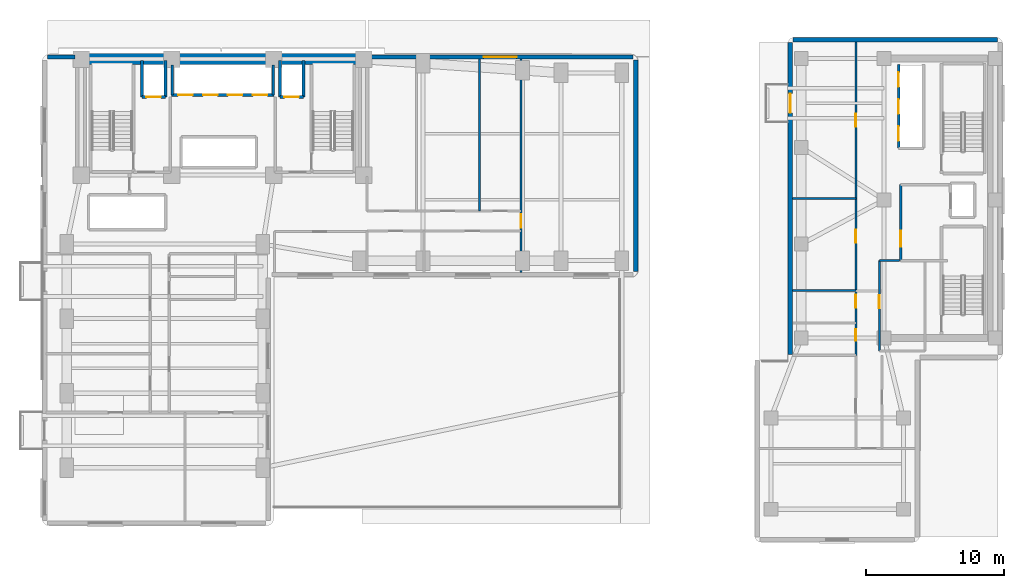
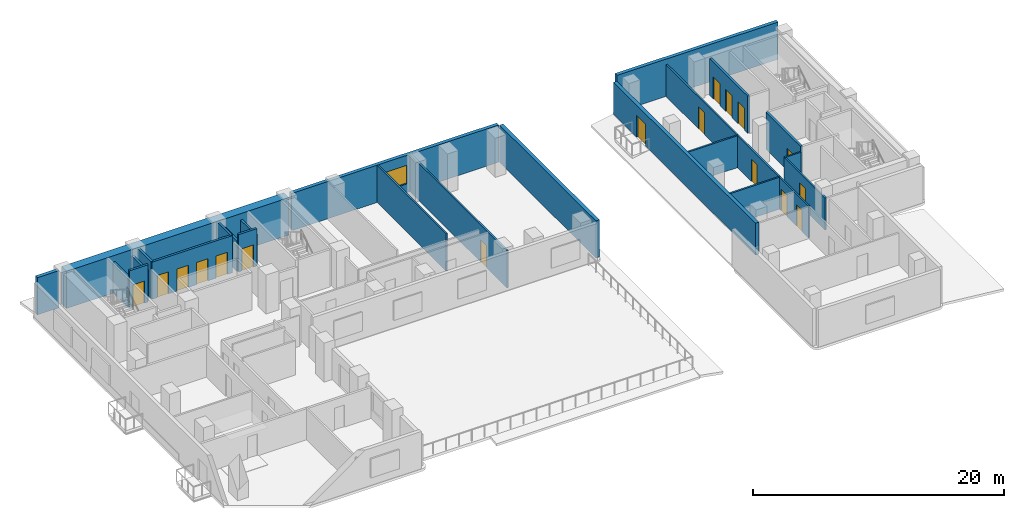
# One storey, part 5 of 10: 24 walls, 17 doors, 1 window, 18 openings.
"""IFC4 building model written with IfcOpenShell, lengths in metres."""

from ifc_helpers import new_model, si_unit, direction, frame, frame_2d, origin, place, context, subcontext, project, spatial, rectangle, extrude, material, layer, layer_set, type_object, element, fill, save


model = new_model("IFC4")

# Units and contexts
model_context = context("Model", 3, precision=1e-05, world=origin(), true_north=direction((0.0, 1.0)))
body_context = subcontext(model_context, "Body", "Model", "MODEL_VIEW")
ifc_project = project(units=[si_unit("LENGTHUNIT", "METRE"), si_unit("AREAUNIT", "SQUARE_METRE"), si_unit("VOLUMEUNIT", "CUBIC_METRE"), si_unit("PLANEANGLEUNIT", "RADIAN"), si_unit("MASSUNIT", "GRAM", prefix="KILO")], contexts=[model_context])

# Site, building, storey
site_placement = place(None, origin())
site = spatial("IfcSite", under=ifc_project, at=site_placement, CompositionType="ELEMENT")
building_placement = place(site_placement, origin())
building = spatial("IfcBuilding", under=site, at=building_placement, Name="Kuzgunbayir Cultural Tower", CompositionType="ELEMENT")
storey_placement = place(building_placement, frame((0.0, 0.0, 26.39990234375)))
storey = spatial("IfcBuildingStorey", under=building, at=storey_placement, Name="L06", CompositionType="ELEMENT", Elevation=26.39990234375)

# Wall
ifc_material_1 = material(Name="Concrete C60/75", Category="concrete")
ifc_layer_1 = layer(ifc_material_1, 0.800048828125)
ifc_layer_set_1 = layer_set([ifc_layer_1], Name="Concrete C60/75")
wall_type_1 = type_object("IfcWallType", Name="WAL-CORE-800", PredefinedType="SHEAR", material=ifc_layer_set_1)
wall_1_placement = place(storey_placement, frame((6.449951171875, 42.199951171875, 0.0), z_axis=(0.0, 0.0, 1.0), x_axis=(1.0, 0.0, 0.0)))
element("IfcWall", 1, at=wall_1_placement, inside=storey, type_object=wall_type_1, Name="L06 T1 Core North Shear Wall", PredefinedType="SHEAR", context=body_context, shape_type="SweptSolid", body=[
    extrude(rectangle(XDim=20.449951171875, YDim=0.800048828125, at=frame_2d((10.22509765625, 0.0))), origin(), (0.0, 0.0, 1.0), 3.6201171875),
])

# Wall, opening, window
ifc_material_2 = material(Name="Travertine Buff Ashlar", Category="masonry")
ifc_layer_2 = layer(ifc_material_2, 0.320068359375)
ifc_layer_set_2 = layer_set([ifc_layer_2], Name="Travertine Buff Ashlar")
wall_type_2 = type_object("IfcWallType", Name="WAL-EXT-STONE-320", PredefinedType="STANDARD", material=ifc_layer_set_2)
wall_2_placement = place(storey_placement, frame((46.39990234375, 42.35009765625, 0.0), z_axis=(0.0, 0.0, 1.0), x_axis=(-1.0, 0.0, 0.0)))
wall_2 = element("IfcWall", 2, at=wall_2_placement, inside=storey, type_object=wall_type_2, Name="L06 North Wing B Limestone Wall", PredefinedType="STANDARD", context=body_context, shape_type="SweptSolid", body=[
    extrude(rectangle(XDim=19.0498046875, YDim=0.320068359375, at=frame_2d((9.52490234375, 0.0))), origin(), (0.0, 0.0, 1.0), 3.6201171875),
])
opening_1_placement = place(wall_2_placement, frame((8.409912109375, 0.0, 0.85009765625)))
opening_1 = element("IfcOpeningElement", 3, at=opening_1_placement, cuts=wall_2, Name="Opening WO-24", PredefinedType="OPENING", context=body_context, shape_type="SweptSolid", body=[
    extrude(rectangle(XDim=2.39990234375, YDim=1.800048828125, at=frame_2d((1.199951171875, 0.89990234375))), frame((0.0, 0.169921875, 0.0), z_axis=(0.0, -1.0, 0.0), x_axis=(1.0, 0.0, 0.0)), (0.0, 0.0, 1.0), 0.340087890625),
])
ifc_material_3 = material(Name="Solar-Control Triple Glazing", Category="glass")
window_type = type_object("IfcWindowType", Name="WIN-OFFICE-24", PartitioningType="SINGLE_PANEL", PredefinedType="WINDOW", material=ifc_material_3)
window_placement = place(opening_1_placement, origin())
window = element("IfcWindow", 4, at=window_placement, inside=storey, type_object=window_type, Name="L06 CRN Facade Window 1", OverallHeight=1.800048828125, OverallWidth=2.39990234375, PartitioningType="SINGLE_PANEL", PredefinedType="WINDOW", context=body_context, shape_type="SweptSolid", body=[
    extrude(rectangle(XDim=2.39990234375, YDim=1.800048828125, at=frame_2d((1.199951171875, 0.89990234375))), frame((0.0, 0.030029296875, 0.0), z_axis=(0.0, -1.0, 0.0), x_axis=(1.0, 0.0, 0.0)), (0.0, 0.0, 1.0), 0.06005859375),
])
fill(opening_1, window)

# Walls
wall_3_placement = place(storey_placement, frame((6.0, 42.35009765625, 0.0), z_axis=(0.0, 0.0, 1.0), x_axis=(-1.0, 0.0, 0.0)))
element("IfcWall", 5, at=wall_3_placement, inside=storey, type_object=wall_type_2, Name="L06 Core North-West Spandrel Link", PredefinedType="STANDARD", context=body_context, shape_type="SweptSolid", body=[
    extrude(rectangle(XDim=2.0, YDim=0.320068359375, at=frame_2d((1.0, 0.0))), origin(), (0.0, 0.0, 1.0), 3.6201171875),
])
wall_4_placement = place(storey_placement, frame((46.60009765625, 26.800048828125, 0.0), z_axis=(0.0, 0.0, 1.0), x_axis=(0.0, 1.0, 0.0)))
element("IfcWall", 6, at=wall_4_placement, inside=storey, type_object=wall_type_2, Name="L06 Wing B East Limestone Wall", PredefinedType="STANDARD", context=body_context, shape_type="SweptSolid", body=[
    extrude(rectangle(XDim=15.349853515625, YDim=0.320068359375, at=frame_2d((7.6748046875, 0.0))), origin(), (0.0, 0.0, 1.0), 3.6201171875),
])

# Wall, opening, door
wall_5_placement = place(storey_placement, frame((57.800048828125, 43.39990234375, 0.0), z_axis=(0.0, 0.0, 1.0), x_axis=(0.0, -1.0, 0.0)))
wall_5 = element("IfcWall", 7, at=wall_5_placement, inside=storey, type_object=wall_type_2, Name="L06 Companion West Limestone Wall", PredefinedType="STANDARD", context=body_context, shape_type="SweptSolid", body=[
    extrude(rectangle(XDim=22.599853515625, YDim=0.320068359375, at=frame_2d((11.2998046875, 0.0))), origin(), (0.0, 0.0, 1.0), 3.10009765625),
])
opening_2_placement = place(wall_5_placement, frame((3.699951171875, 0.0, 0.0)))
opening_2 = element("IfcOpeningElement", 8, at=opening_2_placement, cuts=wall_5, Name="Opening BD-15", PredefinedType="OPENING", context=body_context, shape_type="SweptSolid", body=[
    extrude(rectangle(XDim=1.39990234375, YDim=2.10009765625, at=frame_2d((0.699951171875, 1.050048828125))), frame((0.0, 0.169921875, 0.0), z_axis=(0.0, -1.0, 0.0), x_axis=(1.0, 0.0, 0.0)), (0.0, 0.0, 1.0), 0.340087890625),
])
ifc_material_4 = material(Name="Thermally Broken Glazed Aluminium", Category="aluminium")
door_type_1 = type_object("IfcDoorType", Name="DR-BALCONY-150", OperationType="SLIDING_TO_RIGHT", PredefinedType="DOOR", material=ifc_material_4)
door_1_placement = place(opening_2_placement, origin())
door_1 = element("IfcDoor", 9, at=door_1_placement, inside=storey, type_object=door_type_1, Name="L06 Companion Balcony Door BAL-L06-T2W3", OperationType="SLIDING_TO_RIGHT", OverallHeight=2.10009765625, OverallWidth=1.39990234375, PredefinedType="DOOR", context=body_context, shape_type="SweptSolid", body=[
    extrude(rectangle(XDim=1.39990234375, YDim=2.10009765625, at=frame_2d((0.699951171875, 1.050048828125))), frame((0.0, 0.02490234375, 0.0), z_axis=(0.0, -1.0, 0.0), x_axis=(1.0, 0.0, 0.0)), (0.0, 0.0, 1.0), 0.050048828125),
])
fill(opening_2, door_1)

# Wall
wall_6_placement = place(storey_placement, frame((72.800048828125, 43.60009765625, 0.0), z_axis=(0.0, 0.0, 1.0), x_axis=(-1.0, 0.0, 0.0)))
element("IfcWall", 10, at=wall_6_placement, inside=storey, type_object=wall_type_2, Name="L06 Companion North Limestone Wall", PredefinedType="STANDARD", context=body_context, shape_type="SweptSolid", body=[
    extrude(rectangle(XDim=14.800048828125, YDim=0.320068359375, at=frame_2d((7.39990234375, 0.0))), origin(), (0.0, 0.0, 1.0), 3.6201171875),
])

# Wall, opening, door
ifc_material_5 = material(Name="Acoustic Double-Stud Drywall", Category="gypsum")
ifc_layer_3 = layer(ifc_material_5, 0.14990234375)
ifc_layer_set_3 = layer_set([ifc_layer_3], Name="Acoustic Double-Stud Drywall")
wall_type_3 = type_object("IfcWallType", Name="WAL-PART-ACOUSTIC-150", PredefinedType="PARTITIONING", material=ifc_layer_set_3)
wall_7_placement = place(storey_placement, frame((38.300048828125, 26.75, 0.0), z_axis=(0.0, 0.0, 1.0), x_axis=(0.0, 1.0, 0.0)))
wall_7 = element("IfcWall", 11, at=wall_7_placement, inside=storey, type_object=wall_type_3, Name="L06 Wing B East Suite Wall", PredefinedType="PARTITIONING", context=body_context, shape_type="SweptSolid", body=[
    extrude(rectangle(XDim=15.449951171875, YDim=0.14990234375, at=frame_2d((7.72509765625, 0.0))), origin(), (0.0, 0.0, 1.0), 3.6201171875),
])
opening_3_placement = place(wall_7_placement, frame((3.219970703125, 0.0, 0.0)))
opening_3 = element("IfcOpeningElement", 12, at=opening_3_placement, cuts=wall_7, Name="Opening DI-100", PredefinedType="OPENING", context=body_context, shape_type="SweptSolid", body=[
    extrude(rectangle(XDim=1.0, YDim=2.14990234375, at=frame_2d((0.5, 1.074951171875))), frame((0.0, 0.0849609375, 0.0), z_axis=(0.0, -1.0, 0.0), x_axis=(1.0, 0.0, 0.0)), (0.0, 0.0, 1.0), 0.169921875),
])
ifc_material_6 = material(Name="Veneered Oak Single Leaf", Category="wood")
door_type_2 = type_object("IfcDoorType", Name="DR-INT-100", OperationType="NOTDEFINED", PredefinedType="DOOR", material=ifc_material_6)
door_2_placement = place(opening_3_placement, origin())
door_2 = element("IfcDoor", 13, at=door_2_placement, inside=storey, type_object=door_type_2, Name="L06 East Conference Hall Door", OperationType="SINGLE_SWING_LEFT", OverallHeight=2.14990234375, OverallWidth=1.0, PredefinedType="DOOR", context=body_context, shape_type="SweptSolid", body=[
    extrude(rectangle(XDim=1.0, YDim=2.14990234375, at=frame_2d((0.5, 1.074951171875))), frame((0.0, 0.02490234375, 0.0), z_axis=(0.0, -1.0, 0.0), x_axis=(1.0, 0.0, 0.0)), (0.0, 0.0, 1.0), 0.050048828125),
])
fill(opening_3, door_2)

# Wall
wall_8_placement = place(storey_placement, frame((35.2900390625, 31.199951171875, 0.0), z_axis=(0.0, 0.0, 1.0), x_axis=(0.0, 1.0, 0.0)))
element("IfcWall", 14, at=wall_8_placement, inside=storey, type_object=wall_type_3, Name="L06 Wing B North Partition 2", PredefinedType="PARTITIONING", context=body_context, shape_type="SweptSolid", body=[
    extrude(rectangle(XDim=11.0, YDim=0.14990234375, at=frame_2d((5.5, 0.0))), origin(), (0.0, 0.0, 1.0), 3.6201171875),
])

# Wall, opening, door
wall_9_placement = place(storey_placement, frame((64.25, 21.050048828125, 0.0), z_axis=(0.0, 0.0, 1.0), x_axis=(0.0, 1.0, 0.0)))
wall_9 = element("IfcWall", 15, at=wall_9_placement, inside=storey, type_object=wall_type_3, Name="L06 Companion Archive West Wall", PredefinedType="PARTITIONING", context=body_context, shape_type="SweptSolid", body=[
    extrude(rectangle(XDim=6.550048828125, YDim=0.14990234375, at=frame_2d((3.27490234375, 0.0))), origin(), (0.0, 0.0, 1.0), 3.10009765625),
])
opening_4_placement = place(wall_9_placement, frame((3.10009765625, 0.0, 0.0)))
opening_4 = element("IfcOpeningElement", 16, at=opening_4_placement, cuts=wall_9, Name="Opening DI-90", PredefinedType="OPENING", context=body_context, shape_type="SweptSolid", body=[
    extrude(rectangle(XDim=0.949951171875, YDim=2.14990234375, at=frame_2d((0.47509765625, 1.074951171875))), frame((0.0, 0.0849609375, 0.0), z_axis=(0.0, -1.0, 0.0), x_axis=(1.0, 0.0, 0.0)), (0.0, 0.0, 1.0), 0.169921875),
])
door_type_3 = type_object("IfcDoorType", Name="DR-INT-90", OperationType="NOTDEFINED", PredefinedType="DOOR", material=ifc_material_6)
door_3_placement = place(opening_4_placement, origin())
door_3 = element("IfcDoor", 17, at=door_3_placement, inside=storey, type_object=door_type_3, Name="L06 Companion Archive Door", OperationType="SINGLE_SWING_LEFT", OverallHeight=2.14990234375, OverallWidth=0.949951171875, PredefinedType="DOOR", context=body_context, shape_type="SweptSolid", body=[
    extrude(rectangle(XDim=0.949951171875, YDim=2.14990234375, at=frame_2d((0.47509765625, 1.074951171875))), frame((0.0, 0.02490234375, 0.0), z_axis=(0.0, -1.0, 0.0), x_axis=(1.0, 0.0, 0.0)), (0.0, 0.0, 1.0), 0.050048828125),
])
fill(opening_4, door_3)

# Wall
wall_10_placement = place(storey_placement, frame((64.25, 27.60009765625, 0.0), z_axis=(0.0, 0.0, 1.0), x_axis=(1.0, 0.0, 0.0)))
element("IfcWall", 18, at=wall_10_placement, inside=storey, type_object=wall_type_3, Name="L06 Companion Archive North Wall", PredefinedType="PARTITIONING", context=body_context, shape_type="SweptSolid", body=[
    extrude(rectangle(XDim=1.469970703125, YDim=0.14990234375, at=frame_2d((0.73486328125, 0.0))), origin(), (0.0, 0.0, 1.0), 3.10009765625),
])

# Wall, openings, doors
wall_11_placement = place(storey_placement, frame((62.550048828125, 20.75, 0.0), z_axis=(0.0, 0.0, 1.0), x_axis=(0.0, 1.0, 0.0)))
wall_11 = element("IfcWall", 19, at=wall_11_placement, inside=storey, type_object=wall_type_3, Name="L06 Companion Corridor West Wall", PredefinedType="PARTITIONING", context=body_context, shape_type="SweptSolid", body=[
    extrude(rectangle(XDim=22.699951171875, YDim=0.14990234375, at=frame_2d((11.35009765625, 0.0))), origin(), (0.0, 0.0, 1.0), 3.10009765625),
])
opening_5_placement = place(wall_11_placement, frame((1.050048828125, 0.0, 0.0)))
opening_5 = element("IfcOpeningElement", 20, at=opening_5_placement, cuts=wall_11, Name="Opening DW-85", PredefinedType="OPENING", context=body_context, shape_type="SweptSolid", body=[
    extrude(rectangle(XDim=0.85009765625, YDim=2.10009765625, at=frame_2d((0.425048828125, 1.050048828125))), frame((0.0, 0.0849609375, 0.0), z_axis=(0.0, -1.0, 0.0), x_axis=(1.0, 0.0, 0.0)), (0.0, 0.0, 1.0), 0.169921875),
])
opening_6_placement = place(wall_11_placement, frame((3.429931640625, 0.0, 0.0)))
opening_6 = element("IfcOpeningElement", 21, at=opening_6_placement, cuts=wall_11, Name="Opening DW-95", PredefinedType="OPENING", context=body_context, shape_type="SweptSolid", body=[
    extrude(rectangle(XDim=0.949951171875, YDim=2.10009765625, at=frame_2d((0.47509765625, 1.050048828125))), frame((0.0, 0.0849609375, 0.0), z_axis=(0.0, -1.0, 0.0), x_axis=(1.0, 0.0, 0.0)), (0.0, 0.0, 1.0), 0.169921875),
])
opening_7_placement = place(wall_11_placement, frame((8.14990234375, 0.0, 0.0)))
opening_7 = element("IfcOpeningElement", 22, at=opening_7_placement, cuts=wall_11, Name="Opening DI-90", PredefinedType="OPENING", context=body_context, shape_type="SweptSolid", body=[
    extrude(rectangle(XDim=0.949951171875, YDim=2.14990234375, at=frame_2d((0.47509765625, 1.074951171875))), frame((0.0, 0.0849609375, 0.0), z_axis=(0.0, -1.0, 0.0), x_axis=(1.0, 0.0, 0.0)), (0.0, 0.0, 1.0), 0.169921875),
])
opening_8_placement = place(wall_11_placement, frame((16.550048828125, 0.0, 0.0)))
opening_8 = element("IfcOpeningElement", 23, at=opening_8_placement, cuts=wall_11, Name="Opening DI-90", PredefinedType="OPENING", context=body_context, shape_type="SweptSolid", body=[
    extrude(rectangle(XDim=0.949951171875, YDim=2.14990234375, at=frame_2d((0.47509765625, 1.074951171875))), frame((0.0, 0.0849609375, 0.0), z_axis=(0.0, -1.0, 0.0), x_axis=(1.0, 0.0, 0.0)), (0.0, 0.0, 1.0), 0.169921875),
])
door_4_placement = place(opening_7_placement, origin())
door_4 = element("IfcDoor", 24, at=door_4_placement, inside=storey, type_object=door_type_3, Name="L06 Companion Curatorial Office 1 Door", OperationType="SINGLE_SWING_RIGHT", OverallHeight=2.14990234375, OverallWidth=0.949951171875, PredefinedType="DOOR", context=body_context, shape_type="SweptSolid", body=[
    extrude(rectangle(XDim=0.949951171875, YDim=2.14990234375, at=frame_2d((0.47509765625, 1.074951171875))), frame((0.0, 0.02490234375, 0.0), z_axis=(0.0, -1.0, 0.0), x_axis=(1.0, 0.0, 0.0)), (0.0, 0.0, 1.0), 0.050048828125),
])
fill(opening_7, door_4)
door_5_placement = place(opening_8_placement, origin())
door_5 = element("IfcDoor", 25, at=door_5_placement, inside=storey, type_object=door_type_3, Name="L06 Companion Art Publication Salon 2 Door", OperationType="SINGLE_SWING_LEFT", OverallHeight=2.14990234375, OverallWidth=0.949951171875, PredefinedType="DOOR", context=body_context, shape_type="SweptSolid", body=[
    extrude(rectangle(XDim=0.949951171875, YDim=2.14990234375, at=frame_2d((0.47509765625, 1.074951171875))), frame((0.0, 0.02490234375, 0.0), z_axis=(0.0, -1.0, 0.0), x_axis=(1.0, 0.0, 0.0)), (0.0, 0.0, 1.0), 0.050048828125),
])
fill(opening_8, door_5)
ifc_material_7 = material(Name="Laminate Moisture-Resistant Leaf", Category="wood")
door_type_4 = type_object("IfcDoorType", Name="DR-WET-85", OperationType="NOTDEFINED", PredefinedType="DOOR", material=ifc_material_7)
door_6_placement = place(opening_5_placement, origin())
door_6 = element("IfcDoor", 26, at=door_6_placement, inside=storey, type_object=door_type_4, Name="L06 Companion WC Door", OperationType="SINGLE_SWING_RIGHT", OverallHeight=2.10009765625, OverallWidth=0.85009765625, PredefinedType="DOOR", context=body_context, shape_type="SweptSolid", body=[
    extrude(rectangle(XDim=0.85009765625, YDim=2.10009765625, at=frame_2d((0.425048828125, 1.050048828125))), frame((0.0, 0.02490234375, 0.0), z_axis=(0.0, -1.0, 0.0), x_axis=(1.0, 0.0, 0.0)), (0.0, 0.0, 1.0), 0.050048828125),
])
fill(opening_5, door_6)
door_type_5 = type_object("IfcDoorType", Name="DR-WET-95", OperationType="NOTDEFINED", PredefinedType="DOOR", material=ifc_material_7)
door_7_placement = place(opening_6_placement, origin())
door_7 = element("IfcDoor", 27, at=door_7_placement, inside=storey, type_object=door_type_5, Name="L06 Companion Accessible WC Door", OperationType="SINGLE_SWING_LEFT", OverallHeight=2.10009765625, OverallWidth=0.949951171875, PredefinedType="DOOR", context=body_context, shape_type="SweptSolid", body=[
    extrude(rectangle(XDim=0.949951171875, YDim=2.10009765625, at=frame_2d((0.47509765625, 1.050048828125))), frame((0.0, 0.02490234375, 0.0), z_axis=(0.0, -1.0, 0.0), x_axis=(1.0, 0.0, 0.0)), (0.0, 0.0, 1.0), 0.050048828125),
])
fill(opening_6, door_7)

# Wall
wall_12_placement = place(storey_placement, frame((57.949951171875, 32.110107421875, 0.0), z_axis=(0.0, 0.0, 1.0), x_axis=(1.0, 0.0, 0.0)))
element("IfcWall", 28, at=wall_12_placement, inside=storey, type_object=wall_type_3, Name="L06 Companion Studio Partition 1", PredefinedType="PARTITIONING", context=body_context, shape_type="SweptSolid", body=[
    extrude(rectangle(XDim=4.60009765625, YDim=0.14990234375, at=frame_2d((2.300048828125, 0.0))), origin(), (0.0, 0.0, 1.0), 3.10009765625),
])

# Wall, opening, door
ifc_material_8 = material(Name="Aerated Concrete Blockwork", Category="masonry")
ifc_layer_4 = layer(ifc_material_8, 0.199951171875)
ifc_layer_set_4 = layer_set([ifc_layer_4], Name="Aerated Concrete Blockwork")
wall_type_4 = type_object("IfcWallType", Name="WAL-PART-FIRE-200", PredefinedType="PARTITIONING", material=ifc_layer_set_4)
wall_13_placement = place(storey_placement, frame((65.800048828125, 27.60009765625, 0.0), z_axis=(0.0, 0.0, 1.0), x_axis=(0.0, 1.0, 0.0)))
wall_13 = element("IfcWall", 29, at=wall_13_placement, inside=storey, type_object=wall_type_4, Name="L06 FFL-3 Lobby West Fire Wall", PredefinedType="PARTITIONING", context=body_context, shape_type="SweptSolid", body=[
    extrude(rectangle(XDim=5.5, YDim=0.199951171875, at=frame_2d((2.75, 0.0))), origin(), (0.0, 0.0, 1.0), 3.6201171875),
])
opening_9_placement = place(wall_13_placement, frame((1.0, 0.0, 0.0)))
opening_9 = element("IfcOpeningElement", 30, at=opening_9_placement, cuts=wall_13, Name="Opening DR-FFL-90", PredefinedType="OPENING", context=body_context, shape_type="SweptSolid", body=[
    extrude(rectangle(XDim=1.14990234375, YDim=2.14990234375, at=frame_2d((0.574951171875, 1.074951171875))), frame((0.0, 0.10986328125, 0.0), z_axis=(0.0, -1.0, 0.0), x_axis=(1.0, 0.0, 0.0)), (0.0, 0.0, 1.0), 0.219970703125),
])
ifc_material_9 = material(Name="Steel S355J2", Category="steel")
door_type_6 = type_object("IfcDoorType", Name="DR-FFL-90", OperationType="NOTDEFINED", PredefinedType="DOOR", material=ifc_material_9)
door_8_placement = place(opening_9_placement, origin())
door_8 = element("IfcDoor", 31, at=door_8_placement, inside=storey, type_object=door_type_6, Name="L06 Firefighting Lobby 3 Door", OperationType="SINGLE_SWING_RIGHT", OverallHeight=2.14990234375, OverallWidth=1.14990234375, PredefinedType="DOOR", context=body_context, shape_type="SweptSolid", body=[
    extrude(rectangle(XDim=1.14990234375, YDim=2.14990234375, at=frame_2d((0.574951171875, 1.074951171875))), frame((0.0, 0.02490234375, 0.0), z_axis=(0.0, -1.0, 0.0), x_axis=(1.0, 0.0, 0.0)), (0.0, 0.0, 1.0), 0.050048828125),
])
fill(opening_9, door_8)

# Wall
ifc_material_10 = material(Name="Moisture-Resistant Tile Partition", Category="gypsum")
ifc_layer_5 = layer(ifc_material_10, 0.14990234375)
ifc_layer_set_5 = layer_set([ifc_layer_5], Name="Moisture-Resistant Tile Partition")
wall_type_5 = type_object("IfcWallType", Name="WAL-PART-WET-150", PredefinedType="PARTITIONING", material=ifc_layer_set_5)
wall_14_placement = place(storey_placement, frame((57.949951171875, 25.449951171875, 0.0), z_axis=(0.0, 0.0, 1.0), x_axis=(1.0, 0.0, 0.0)))
element("IfcWall", 32, at=wall_14_placement, inside=storey, type_object=wall_type_5, Name="L06 Companion Accessible WC Wall", PredefinedType="PARTITIONING", context=body_context, shape_type="SweptSolid", body=[
    extrude(rectangle(XDim=4.60009765625, YDim=0.14990234375, at=frame_2d((2.300048828125, 0.0))), origin(), (0.0, 0.0, 1.0), 3.10009765625),
])

# Wall, opening, door
ifc_material_11 = material(Name="Concrete C40/50", Category="concrete")
ifc_layer_6 = layer(ifc_material_11, 0.199951171875)
ifc_layer_set_6 = layer_set([ifc_layer_6], Name="Concrete C40/50")
wall_type_6 = type_object("IfcWallType", Name="WAL-SHAFT-200", PredefinedType="MOVABLE", material=ifc_layer_set_6)
wall_15_placement = place(storey_placement, frame((10.85009765625, 39.449951171875, 0.0), z_axis=(0.0, 0.0, 1.0), x_axis=(1.0, 0.0, 0.0)))
wall_15 = element("IfcWall", 33, at=wall_15_placement, inside=storey, type_object=wall_type_6, Name="L06 FFL-1 Lift Front Wall", PredefinedType="MOVABLE", context=body_context, shape_type="SweptSolid", body=[
    extrude(rectangle(XDim=1.699951171875, YDim=0.199951171875, at=frame_2d((0.85009765625, 0.0))), origin(), (0.0, 0.0, 1.0), 3.6201171875),
])
opening_10_placement = place(wall_15_placement, frame((0.320068359375, 0.0, 0.0)))
opening_10 = element("IfcOpeningElement", 34, at=opening_10_placement, cuts=wall_15, Name="Opening LD", PredefinedType="OPENING", context=body_context, shape_type="SweptSolid", body=[
    extrude(rectangle(XDim=1.050048828125, YDim=2.14990234375, at=frame_2d((0.52490234375, 1.074951171875))), frame((0.0, 0.10986328125, 0.0), z_axis=(0.0, -1.0, 0.0), x_axis=(1.0, 0.0, 0.0)), (0.0, 0.0, 1.0), 0.219970703125),
])
ifc_material_12 = material(Name="Brushed Stainless Steel", Category="steel")
door_type_7 = type_object("IfcDoorType", Name="DR-LIFT-LANDING", OperationType="SLIDING_TO_LEFT", PredefinedType="DOOR", material=ifc_material_12)
door_9_placement = place(opening_10_placement, origin())
door_9 = element("IfcDoor", 35, at=door_9_placement, inside=storey, type_object=door_type_7, Name="L06 Lift FFL-1 Landing Door", OperationType="SLIDING_TO_LEFT", OverallHeight=2.14990234375, OverallWidth=1.050048828125, PredefinedType="DOOR", context=body_context, shape_type="SweptSolid", body=[
    extrude(rectangle(XDim=1.050048828125, YDim=2.14990234375, at=frame_2d((0.52490234375, 1.074951171875))), frame((0.0, 0.02490234375, 0.0), z_axis=(0.0, -1.0, 0.0), x_axis=(1.0, 0.0, 0.0)), (0.0, 0.0, 1.0), 0.050048828125),
])
fill(opening_10, door_9)

wall_16_placement = place(storey_placement, frame((20.85009765625, 39.449951171875, 0.0), z_axis=(0.0, 0.0, 1.0), x_axis=(1.0, 0.0, 0.0)))
wall_16 = element("IfcWall", 36, at=wall_16_placement, inside=storey, type_object=wall_type_6, Name="L06 FFL-2 Lift Front Wall", PredefinedType="MOVABLE", context=body_context, shape_type="SweptSolid", body=[
    extrude(rectangle(XDim=1.699951171875, YDim=0.199951171875, at=frame_2d((0.85009765625, 0.0))), origin(), (0.0, 0.0, 1.0), 3.6201171875),
])
opening_11_placement = place(wall_16_placement, frame((0.320068359375, 0.0, 0.0)))
opening_11 = element("IfcOpeningElement", 37, at=opening_11_placement, cuts=wall_16, Name="Opening LD", PredefinedType="OPENING", context=body_context, shape_type="SweptSolid", body=[
    extrude(rectangle(XDim=1.050048828125, YDim=2.14990234375, at=frame_2d((0.52490234375, 1.074951171875))), frame((0.0, 0.10986328125, 0.0), z_axis=(0.0, -1.0, 0.0), x_axis=(1.0, 0.0, 0.0)), (0.0, 0.0, 1.0), 0.219970703125),
])
door_10_placement = place(opening_11_placement, origin())
door_10 = element("IfcDoor", 38, at=door_10_placement, inside=storey, type_object=door_type_7, Name="L06 Lift FFL-2 Landing Door", OperationType="SLIDING_TO_LEFT", OverallHeight=2.14990234375, OverallWidth=1.050048828125, PredefinedType="DOOR", context=body_context, shape_type="SweptSolid", body=[
    extrude(rectangle(XDim=1.050048828125, YDim=2.14990234375, at=frame_2d((0.52490234375, 1.074951171875))), frame((0.0, 0.02490234375, 0.0), z_axis=(0.0, -1.0, 0.0), x_axis=(1.0, 0.0, 0.0)), (0.0, 0.0, 1.0), 0.050048828125),
])
fill(opening_11, door_10)

# Walls
for number, where, z_axis, x_axis, name in (
    (39, (10.85009765625, 39.449951171875, 0.0), (0.0, 0.0, 1.0), (0.0, 1.0, 0.0), "L06 FFL-1 Shaft West Wall"),
    (40, (12.550048828125, 39.449951171875, 0.0), (0.0, 0.0, 1.0), (0.0, 1.0, 0.0), "L06 FFL-1 Shaft East Wall"),
    (41, (20.85009765625, 39.449951171875, 0.0), (0.0, 0.0, 1.0), (0.0, 1.0, 0.0), "L06 FFL-2 Shaft West Wall"),
    (42, (22.550048828125, 39.449951171875, 0.0), (0.0, 0.0, 1.0), (0.0, 1.0, 0.0), "L06 FFL-2 Shaft East Wall"),
):
    element("IfcWall", number, at=place(storey_placement, frame(where, z_axis=z_axis, x_axis=x_axis)), inside=storey, type_object=wall_type_6, Name=name, PredefinedType="MOVABLE", context=body_context, shape_type="SweptSolid", body=[
        extrude(rectangle(XDim=2.650146484375, YDim=0.199951171875, at=frame_2d((1.3251953125, 0.0))), origin(), (0.0, 0.0, 1.0), 3.0),
    ])

# Wall, openings, doors
wall_17_placement = place(storey_placement, frame((13.0, 39.60009765625, 0.0), z_axis=(0.0, 0.0, 1.0), x_axis=(1.0, 0.0, 0.0)))
wall_17 = element("IfcWall", 43, at=wall_17_placement, inside=storey, type_object=wall_type_6, Name="L06 Low-Rise Lift Front Wall", PredefinedType="MOVABLE", context=body_context, shape_type="SweptSolid", body=[
    extrude(rectangle(XDim=7.39990234375, YDim=0.199951171875, at=frame_2d((3.699951171875, 0.0))), origin(), (0.0, 0.0, 1.0), 3.6201171875),
])
opening_12_placement = place(wall_17_placement, frame((0.469970703125, 0.0, 0.0)))
opening_12 = element("IfcOpeningElement", 44, at=opening_12_placement, cuts=wall_17, Name="Opening LD", PredefinedType="OPENING", context=body_context, shape_type="SweptSolid", body=[
    extrude(rectangle(XDim=1.050048828125, YDim=2.14990234375, at=frame_2d((0.52490234375, 1.074951171875))), frame((0.0, 0.10986328125, 0.0), z_axis=(0.0, -1.0, 0.0), x_axis=(1.0, 0.0, 0.0)), (0.0, 0.0, 1.0), 0.219970703125),
])
opening_13_placement = place(wall_17_placement, frame((2.280029296875, 0.0, 0.0)))
opening_13 = element("IfcOpeningElement", 45, at=opening_13_placement, cuts=wall_17, Name="Opening LD", PredefinedType="OPENING", context=body_context, shape_type="SweptSolid", body=[
    extrude(rectangle(XDim=1.050048828125, YDim=2.14990234375, at=frame_2d((0.52490234375, 1.074951171875))), frame((0.0, 0.10986328125, 0.0), z_axis=(0.0, -1.0, 0.0), x_axis=(1.0, 0.0, 0.0)), (0.0, 0.0, 1.0), 0.219970703125),
])
opening_14_placement = place(wall_17_placement, frame((4.080078125, 0.0, 0.0)))
opening_14 = element("IfcOpeningElement", 46, at=opening_14_placement, cuts=wall_17, Name="Opening LD", PredefinedType="OPENING", context=body_context, shape_type="SweptSolid", body=[
    extrude(rectangle(XDim=1.050048828125, YDim=2.14990234375, at=frame_2d((0.52490234375, 1.074951171875))), frame((0.0, 0.10986328125, 0.0), z_axis=(0.0, -1.0, 0.0), x_axis=(1.0, 0.0, 0.0)), (0.0, 0.0, 1.0), 0.219970703125),
])
opening_15_placement = place(wall_17_placement, frame((5.8798828125, 0.0, 0.0)))
opening_15 = element("IfcOpeningElement", 47, at=opening_15_placement, cuts=wall_17, Name="Opening LD", PredefinedType="OPENING", context=body_context, shape_type="SweptSolid", body=[
    extrude(rectangle(XDim=1.050048828125, YDim=2.14990234375, at=frame_2d((0.52490234375, 1.074951171875))), frame((0.0, 0.10986328125, 0.0), z_axis=(0.0, -1.0, 0.0), x_axis=(1.0, 0.0, 0.0)), (0.0, 0.0, 1.0), 0.219970703125),
])
door_11_placement = place(opening_12_placement, origin())
door_11 = element("IfcDoor", 48, at=door_11_placement, inside=storey, type_object=door_type_7, Name="L06 Lift PL-1 Landing Door", OperationType="SLIDING_TO_LEFT", OverallHeight=2.14990234375, OverallWidth=1.050048828125, PredefinedType="DOOR", context=body_context, shape_type="SweptSolid", body=[
    extrude(rectangle(XDim=1.050048828125, YDim=2.14990234375, at=frame_2d((0.52490234375, 1.074951171875))), frame((0.0, 0.02490234375, 0.0), z_axis=(0.0, -1.0, 0.0), x_axis=(1.0, 0.0, 0.0)), (0.0, 0.0, 1.0), 0.050048828125),
])
fill(opening_12, door_11)
door_12_placement = place(opening_13_placement, origin())
door_12 = element("IfcDoor", 49, at=door_12_placement, inside=storey, type_object=door_type_7, Name="L06 Lift PL-2 Landing Door", OperationType="SLIDING_TO_LEFT", OverallHeight=2.14990234375, OverallWidth=1.050048828125, PredefinedType="DOOR", context=body_context, shape_type="SweptSolid", body=[
    extrude(rectangle(XDim=1.050048828125, YDim=2.14990234375, at=frame_2d((0.52490234375, 1.074951171875))), frame((0.0, 0.02490234375, 0.0), z_axis=(0.0, -1.0, 0.0), x_axis=(1.0, 0.0, 0.0)), (0.0, 0.0, 1.0), 0.050048828125),
])
fill(opening_13, door_12)
door_13_placement = place(opening_14_placement, origin())
door_13 = element("IfcDoor", 50, at=door_13_placement, inside=storey, type_object=door_type_7, Name="L06 Lift PL-3 Landing Door", OperationType="SLIDING_TO_LEFT", OverallHeight=2.14990234375, OverallWidth=1.050048828125, PredefinedType="DOOR", context=body_context, shape_type="SweptSolid", body=[
    extrude(rectangle(XDim=1.050048828125, YDim=2.14990234375, at=frame_2d((0.52490234375, 1.074951171875))), frame((0.0, 0.02490234375, 0.0), z_axis=(0.0, -1.0, 0.0), x_axis=(1.0, 0.0, 0.0)), (0.0, 0.0, 1.0), 0.050048828125),
])
fill(opening_14, door_13)
door_14_placement = place(opening_15_placement, origin())
door_14 = element("IfcDoor", 51, at=door_14_placement, inside=storey, type_object=door_type_7, Name="L06 Lift PL-4 Landing Door", OperationType="SLIDING_TO_LEFT", OverallHeight=2.14990234375, OverallWidth=1.050048828125, PredefinedType="DOOR", context=body_context, shape_type="SweptSolid", body=[
    extrude(rectangle(XDim=1.050048828125, YDim=2.14990234375, at=frame_2d((0.52490234375, 1.074951171875))), frame((0.0, 0.02490234375, 0.0), z_axis=(0.0, -1.0, 0.0), x_axis=(1.0, 0.0, 0.0)), (0.0, 0.0, 1.0), 0.050048828125),
])
fill(opening_15, door_14)

# Walls
for number, where, z_axis, x_axis, name in (
    (52, (13.050048828125, 39.60009765625, 0.0), (0.0, 0.0, 1.0), (0.0, 1.0, 0.0), "L06 Low-Rise Lift Shaft West Wall"),
    (53, (20.35009765625, 39.60009765625, 0.0), (0.0, 0.0, 1.0), (0.0, 1.0, 0.0), "L06 Low-Rise Lift Shaft East Wall"),
):
    element("IfcWall", number, at=place(storey_placement, frame(where, z_axis=z_axis, x_axis=x_axis)), inside=storey, type_object=wall_type_6, Name=name, PredefinedType="MOVABLE", context=body_context, shape_type="SweptSolid", body=[
        extrude(rectangle(XDim=2.179931640625, YDim=0.199951171875, at=frame_2d((1.08984375, 0.0))), origin(), (0.0, 0.0, 1.0), 3.6201171875),
    ])

# Wall, openings, doors
wall_18_placement = place(storey_placement, frame((65.64990234375, 35.75, 0.0), z_axis=(0.0, 0.0, 1.0), x_axis=(0.0, 1.0, 0.0)))
wall_18 = element("IfcWall", 54, at=wall_18_placement, inside=storey, type_object=wall_type_6, Name="L06 Companion Lift Front Wall", PredefinedType="MOVABLE", context=body_context, shape_type="SweptSolid", body=[
    extrude(rectangle(XDim=6.050048828125, YDim=0.199951171875, at=frame_2d((3.02490234375, 0.0))), origin(), (0.0, 0.0, 1.0), 3.6201171875),
])
opening_16_placement = place(wall_18_placement, frame((0.52001953125, 0.0, 0.0)))
opening_16 = element("IfcOpeningElement", 55, at=opening_16_placement, cuts=wall_18, Name="Opening LD", PredefinedType="OPENING", context=body_context, shape_type="SweptSolid", body=[
    extrude(rectangle(XDim=1.050048828125, YDim=2.14990234375, at=frame_2d((0.52490234375, 1.074951171875))), frame((0.0, 0.10986328125, 0.0), z_axis=(0.0, -1.0, 0.0), x_axis=(1.0, 0.0, 0.0)), (0.0, 0.0, 1.0), 0.219970703125),
])
opening_17_placement = place(wall_18_placement, frame((2.47998046875, 0.0, 0.0)))
opening_17 = element("IfcOpeningElement", 56, at=opening_17_placement, cuts=wall_18, Name="Opening LD", PredefinedType="OPENING", context=body_context, shape_type="SweptSolid", body=[
    extrude(rectangle(XDim=1.050048828125, YDim=2.14990234375, at=frame_2d((0.52490234375, 1.074951171875))), frame((0.0, 0.10986328125, 0.0), z_axis=(0.0, -1.0, 0.0), x_axis=(1.0, 0.0, 0.0)), (0.0, 0.0, 1.0), 0.219970703125),
])
opening_18_placement = place(wall_18_placement, frame((4.429931640625, 0.0, 0.0)))
opening_18 = element("IfcOpeningElement", 57, at=opening_18_placement, cuts=wall_18, Name="Opening LD", PredefinedType="OPENING", context=body_context, shape_type="SweptSolid", body=[
    extrude(rectangle(XDim=1.050048828125, YDim=2.14990234375, at=frame_2d((0.52490234375, 1.074951171875))), frame((0.0, 0.10986328125, 0.0), z_axis=(0.0, -1.0, 0.0), x_axis=(1.0, 0.0, 0.0)), (0.0, 0.0, 1.0), 0.219970703125),
])
door_15_placement = place(opening_16_placement, origin())
door_15 = element("IfcDoor", 58, at=door_15_placement, inside=storey, type_object=door_type_7, Name="L06 Lift PC-1 Landing Door", OperationType="SLIDING_TO_LEFT", OverallHeight=2.14990234375, OverallWidth=1.050048828125, PredefinedType="DOOR", context=body_context, shape_type="SweptSolid", body=[
    extrude(rectangle(XDim=1.050048828125, YDim=2.14990234375, at=frame_2d((0.52490234375, 1.074951171875))), frame((0.0, 0.02490234375, 0.0), z_axis=(0.0, -1.0, 0.0), x_axis=(1.0, 0.0, 0.0)), (0.0, 0.0, 1.0), 0.050048828125),
])
fill(opening_16, door_15)
door_16_placement = place(opening_17_placement, origin())
door_16 = element("IfcDoor", 59, at=door_16_placement, inside=storey, type_object=door_type_7, Name="L06 Lift PC-2 Landing Door", OperationType="SLIDING_TO_LEFT", OverallHeight=2.14990234375, OverallWidth=1.050048828125, PredefinedType="DOOR", context=body_context, shape_type="SweptSolid", body=[
    extrude(rectangle(XDim=1.050048828125, YDim=2.14990234375, at=frame_2d((0.52490234375, 1.074951171875))), frame((0.0, 0.02490234375, 0.0), z_axis=(0.0, -1.0, 0.0), x_axis=(1.0, 0.0, 0.0)), (0.0, 0.0, 1.0), 0.050048828125),
])
fill(opening_17, door_16)
door_17_placement = place(opening_18_placement, origin())
door_17 = element("IfcDoor", 60, at=door_17_placement, inside=storey, type_object=door_type_7, Name="L06 Lift PC-3 Landing Door", OperationType="SLIDING_TO_LEFT", OverallHeight=2.14990234375, OverallWidth=1.050048828125, PredefinedType="DOOR", context=body_context, shape_type="SweptSolid", body=[
    extrude(rectangle(XDim=1.050048828125, YDim=2.14990234375, at=frame_2d((0.52490234375, 1.074951171875))), frame((0.0, 0.02490234375, 0.0), z_axis=(0.0, -1.0, 0.0), x_axis=(1.0, 0.0, 0.0)), (0.0, 0.0, 1.0), 0.050048828125),
])
fill(opening_18, door_17)

save(model, "model.ifc")
